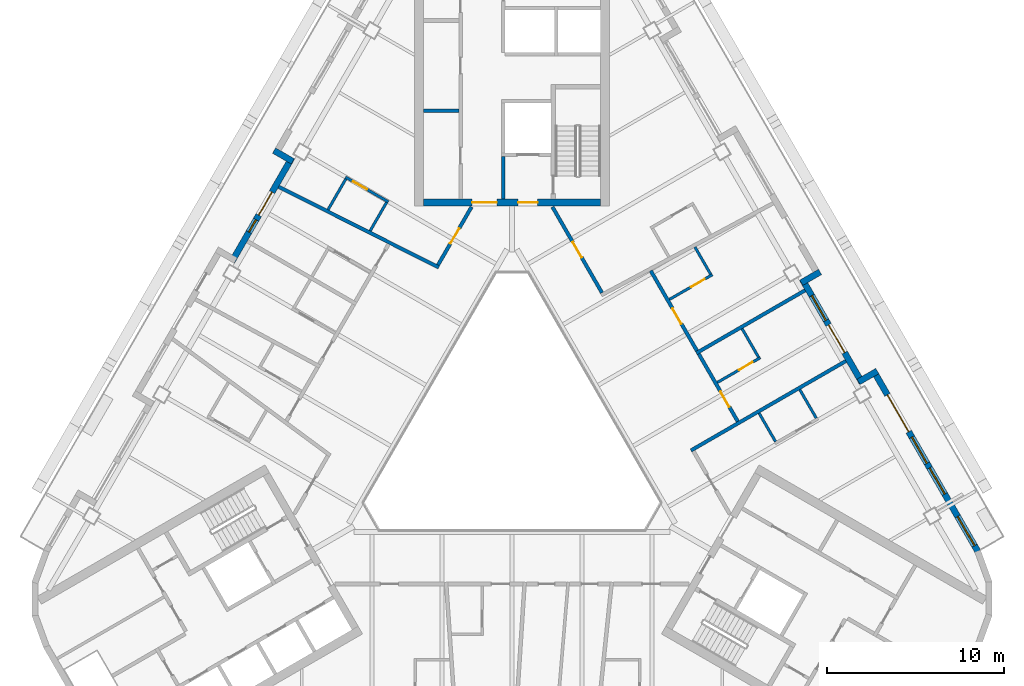
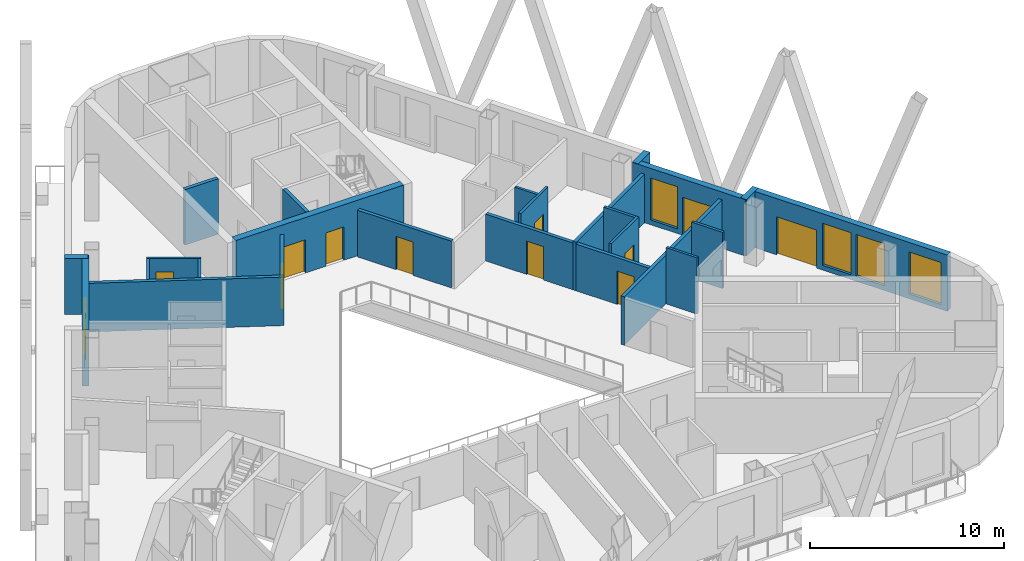
# One storey, part 6 of 14: 25 walls, 12 doors, 5 windows, 17 openings.
"""IFC4 building model written with IfcOpenShell, lengths in metres."""

from ifc_helpers import new_model, si_unit, direction, frame, frame_2d, origin, place, context, subcontext, project, spatial, rectangle, extrude, material, layer, layer_set, type_object, element, fill, save


model = new_model("IFC4")

# Units and contexts
model_context = context("Model", 3, precision=1e-05, world=origin(), true_north=direction((0.0, 1.0)))
body_context = subcontext(model_context, "Body", "Model", "MODEL_VIEW")
ifc_project = project(units=[si_unit("LENGTHUNIT", "METRE"), si_unit("AREAUNIT", "SQUARE_METRE"), si_unit("VOLUMEUNIT", "CUBIC_METRE"), si_unit("PLANEANGLEUNIT", "RADIAN"), si_unit("MASSUNIT", "GRAM", prefix="KILO")], contexts=[model_context])

# Site, building, storey
site_placement = place(None, origin())
site = spatial("IfcSite", under=ifc_project, at=site_placement, CompositionType="ELEMENT")
building_placement = place(site_placement, origin())
building = spatial("IfcBuilding", under=site, at=building_placement, Name="Apuvela Tower Hotel", CompositionType="ELEMENT")
storey_placement = place(building_placement, frame((0.0, 0.0, 202.10009765625)))
storey = spatial("IfcBuildingStorey", under=building, at=storey_placement, Name="L49", CompositionType="ELEMENT", Elevation=202.10009765625)

# Wall, openings, doors
ifc_material_1 = material(Name="Concrete C50/60", Category="concrete")
ifc_layer_1 = layer(ifc_material_1, 0.39990234375)
ifc_layer_set_1 = layer_set([ifc_layer_1], Name="COR-WALL-CORE-400")
wall_type_1 = type_object("IfcWallType", Name="COR-WALL-CORE-400", PredefinedType="SHEAR", material=ifc_layer_set_1)
wall_1_placement = place(storey_placement, frame((5.0, 13.10009765625, 0.0), z_axis=(0.0, 0.0, 1.0), x_axis=(-1.0, 0.0, 0.0)))
wall_1 = element("IfcWall", 1, at=wall_1_placement, inside=storey, type_object=wall_type_1, Name="Core wall N", PredefinedType="SHEAR", context=body_context, shape_type="SweptSolid", body=[
    extrude(rectangle(XDim=10.0, YDim=0.39990234375, at=frame_2d((5.0, 0.0))), origin(), (0.0, 0.0, 1.0), 3.5),
])
opening_1_placement = place(wall_1_placement, frame((3.550048828125, 0.0, 0.0)))
opening_1 = element("IfcOpeningElement", 2, at=opening_1_placement, cuts=wall_1, Name="Opening N-FD", PredefinedType="OPENING", context=body_context, shape_type="SweptSolid", body=[
    extrude(rectangle(XDim=1.10009765625, YDim=2.10009765625, at=frame_2d((0.550048828125, 1.050048828125))), frame((0.0, 0.2099609375, 0.0), z_axis=(0.0, -1.0, 0.0), x_axis=(1.0, 0.0, 0.0)), (0.0, 0.0, 1.0), 0.419921875),
])
opening_2_placement = place(wall_1_placement, frame((5.85009765625, 0.0, 0.0)))
opening_2 = element("IfcOpeningElement", 3, at=opening_2_placement, cuts=wall_1, Name="Opening N-GD", PredefinedType="OPENING", context=body_context, shape_type="SweptSolid", body=[
    extrude(rectangle(XDim=1.39990234375, YDim=2.10009765625, at=frame_2d((0.699951171875, 1.050048828125))), frame((0.0, 0.2099609375, 0.0), z_axis=(0.0, -1.0, 0.0), x_axis=(1.0, 0.0, 0.0)), (0.0, 0.0, 1.0), 0.419921875),
])
ifc_material_2 = material(Name="Steel fire door, powder coated", Category="steel")
door_type_1 = type_object("IfcDoorType", Name="COR-FD-1100", OperationType="NOTDEFINED", PredefinedType="DOOR", material=ifc_material_2)
door_1_placement = place(opening_1_placement, frame((1.10009765625, 0.0, 0.0), z_axis=(0.0, 0.0, 1.0), x_axis=(-1.0, 0.0, 0.0)))
door_1 = element("IfcDoor", 4, at=door_1_placement, inside=storey, type_object=door_type_1, Name="Firefighting lobby door N-FD", OperationType="SINGLE_SWING_LEFT", OverallHeight=2.10009765625, OverallWidth=1.10009765625, PredefinedType="DOOR", context=body_context, shape_type="SweptSolid", body=[
    extrude(rectangle(XDim=1.10009765625, YDim=2.10009765625, at=frame_2d((0.550048828125, 1.050048828125))), frame((0.0, 0.02490234375, 0.0), z_axis=(0.0, -1.0, 0.0), x_axis=(1.0, 0.0, 0.0)), (0.0, 0.0, 1.0), 0.050048828125),
])
fill(opening_1, door_1)
ifc_material_3 = material(Name="Glazed steel fire door", Category="steel")
door_type_2 = type_object("IfcDoorType", Name="COR-GD-1400", OperationType="DOUBLE_DOOR_SINGLE_SWING", PredefinedType="DOOR", material=ifc_material_3)
door_2_placement = place(opening_2_placement, frame((1.39990234375, 0.0, 0.0), z_axis=(0.0, 0.0, 1.0), x_axis=(-1.0, 0.0, 0.0)))
door_2 = element("IfcDoor", 5, at=door_2_placement, inside=storey, type_object=door_type_2, Name="Lift lobby door N-GD", OperationType="DOUBLE_DOOR_SINGLE_SWING", OverallHeight=2.10009765625, OverallWidth=1.39990234375, PredefinedType="DOOR", context=body_context, shape_type="SweptSolid", body=[
    extrude(rectangle(XDim=1.39990234375, YDim=2.10009765625, at=frame_2d((0.699951171875, 1.050048828125))), frame((0.0, 0.02490234375, 0.0), z_axis=(0.0, -1.0, 0.0), x_axis=(1.0, 0.0, 0.0)), (0.0, 0.0, 1.0), 0.050048828125),
])
fill(opening_2, door_2)

# Walls
ifc_layer_2 = layer(ifc_material_1, 0.199951171875)
ifc_layer_set_2 = layer_set([ifc_layer_2], Name="COR-WALL-SHAFT-200")
wall_type_2 = type_object("IfcWallType", Name="COR-WALL-SHAFT-200", PredefinedType="SHEAR", material=ifc_layer_set_2)
wall_2_placement = place(storey_placement, frame((-0.5, 13.300048828125, 0.0), z_axis=(0.0, 0.0, 1.0), x_axis=(0.0, 1.0, 0.0)))
element("IfcWall", 6, at=wall_2_placement, inside=storey, type_object=wall_type_2, Name="Shaft wall N", PredefinedType="SHEAR", context=body_context, shape_type="SweptSolid", body=[
    extrude(rectangle(XDim=2.39990234375, YDim=0.199951171875, at=frame_2d((1.199951171875, 0.0))), origin(), (0.0, 0.0, 1.0), 3.5),
])
wall_3_placement = place(storey_placement, frame((-3.0, 18.280029296875, 0.0), z_axis=(0.0, 0.0, 1.0), x_axis=(-1.0, 0.0, 0.0)))
element("IfcWall", 7, at=wall_3_placement, inside=storey, type_object=wall_type_2, Name="Shaft wall N", PredefinedType="SHEAR", context=body_context, shape_type="SweptSolid", body=[
    extrude(rectangle(XDim=2.0, YDim=0.199951171875, at=frame_2d((1.0, 0.0))), origin(), (0.0, 0.0, 1.0), 3.5),
])
ifc_material_4 = material(Name="Concrete C40/50, dark pigmented precast panel", Category="concrete")
ifc_layer_3 = layer(ifc_material_4, 0.35009765625)
ifc_layer_set_3 = layer_set([ifc_layer_3], Name="ENV-WALL-350")
wall_type_3 = type_object("IfcWallType", Name="ENV-WALL-350", PredefinedType="SOLIDWALL", material=ifc_layer_set_3)
wall_4_placement = place(storey_placement, frame((-13.41259765625, 16.02880859375, 0.0), z_axis=(0.0, 0.0, 1.0), x_axis=(0.866005645448, -0.500034220881, 0.0)))
element("IfcWall", 8, at=wall_4_placement, inside=storey, type_object=wall_type_3, Name="External wall L49-02", PredefinedType="SOLIDWALL", context=body_context, shape_type="SweptSolid", body=[
    extrude(rectangle(XDim=1.22021484375, YDim=0.35009765625, at=frame_2d((0.610107421875, 0.0))), origin(), (0.0, 0.0, 1.0), 3.5498046875),
])

# Wall, openings, door, window
wall_5_placement = place(storey_placement, frame((-12.408935546875, 15.616943359375, 0.0), z_axis=(0.0, 0.0, 1.0), x_axis=(-0.500003597184, -0.866023326939, 0.0)))
wall_5 = element("IfcWall", 9, at=wall_5_placement, inside=storey, type_object=wall_type_3, Name="External wall L49-03", PredefinedType="SOLIDWALL", context=body_context, shape_type="SweptSolid", body=[
    extrude(rectangle(XDim=6.740234375, YDim=0.35009765625, at=frame_2d((3.3701171875, 0.0))), origin(), (0.0, 0.0, 1.0), 3.5498046875),
])
opening_3_placement = place(wall_5_placement, frame((2.22900390625, 0.0, 0.0)))
opening_3 = element("IfcOpeningElement", 10, at=opening_3_placement, cuts=wall_5, Name="Opening BD15", PredefinedType="OPENING", context=body_context, shape_type="SweptSolid", body=[
    extrude(rectangle(XDim=1.5, YDim=2.39990234375, at=frame_2d((0.75, 1.199951171875))), frame((0.0, 0.18505859375, 0.0), z_axis=(0.0, -1.0, 0.0), x_axis=(1.0, 0.0, 0.0)), (0.0, 0.0, 1.0), 0.3701171875),
])
opening_4_placement = place(wall_5_placement, frame((4.029052734375, 0.0, 0.300048828125)))
opening_4 = element("IfcOpeningElement", 11, at=opening_4_placement, cuts=wall_5, Name="Opening WN08", PredefinedType="OPENING", context=body_context, shape_type="SweptSolid", body=[
    extrude(rectangle(XDim=0.800048828125, YDim=2.64990234375, at=frame_2d((0.39990234375, 1.324951171875))), frame((0.0, 0.18505859375, 0.0), z_axis=(0.0, -1.0, 0.0), x_axis=(1.0, 0.0, 0.0)), (0.0, 0.0, 1.0), 0.3701171875),
])
ifc_material_5 = material(Name="Aluminium 6063-T6, dark bronze anodised frame with dark tinted laminated glass", Category="aluminium")
door_type_3 = type_object("IfcDoorType", Name="ENV-DOOR-BALCONY-1500x2400", OperationType="SLIDING_TO_LEFT", PredefinedType="DOOR", material=ifc_material_5)
door_3_placement = place(opening_3_placement, frame((1.5, 0.0, 0.0), z_axis=(0.0, 0.0, 1.0), x_axis=(-1.0, 0.0, 0.0)))
door_3 = element("IfcDoor", 12, at=door_3_placement, inside=storey, type_object=door_type_3, Name="Balcony door BD15", OperationType="SLIDING_TO_LEFT", OverallHeight=2.39990234375, OverallWidth=1.5, PredefinedType="DOOR", context=body_context, shape_type="SweptSolid", body=[
    extrude(rectangle(XDim=1.5, YDim=2.39990234375, at=frame_2d((0.75, 1.199951171875))), frame((0.0, 0.02490234375, 0.0), z_axis=(0.0, -1.0, 0.0), x_axis=(1.0, 0.0, 0.0)), (0.0, 0.0, 1.0), 0.050048828125),
])
fill(opening_3, door_3)
ifc_material_6 = material(Name="Glass, dark tinted laminated insulated glazing unit", Category="glass")
window_type_1 = type_object("IfcWindowType", Name="ENV-WIN-800x2650", PartitioningType="SINGLE_PANEL", PredefinedType="WINDOW", material=ifc_material_6)
window_1_placement = place(opening_4_placement, origin())
window_1 = element("IfcWindow", 13, at=window_1_placement, inside=storey, type_object=window_type_1, Name="Window WN08", OverallHeight=2.64990234375, OverallWidth=0.800048828125, PartitioningType="SINGLE_PANEL", PredefinedType="WINDOW", context=body_context, shape_type="SweptSolid", body=[
    extrude(rectangle(XDim=0.800048828125, YDim=2.64990234375, at=frame_2d((0.39990234375, 1.324951171875))), frame((0.0, 0.030029296875, 0.0), z_axis=(0.0, -1.0, 0.0), x_axis=(1.0, 0.0, 0.0)), (0.0, 0.0, 1.0), 0.06005859375),
])
fill(opening_4, window_1)

# Wall, openings, door, windows
wall_6_placement = place(storey_placement, frame((26.256591796875, -6.5673828125, 0.0), z_axis=(0.0, 0.0, 1.0), x_axis=(-0.500023526245, 0.866011820475, 0.0)))
wall_6 = element("IfcWall", 14, at=wall_6_placement, inside=storey, type_object=wall_type_3, Name="External wall L49-33", PredefinedType="SOLIDWALL", context=body_context, shape_type="SweptSolid", body=[
    extrude(rectangle(XDim=11.81591796875, YDim=0.35009765625, at=frame_2d((5.907958984375, 0.0))), origin(), (0.0, 0.0, 1.0), 3.5498046875),
])
opening_5_placement = place(wall_6_placement, frame((0.380126953125, 0.0, 0.300048828125)))
opening_5 = element("IfcOpeningElement", 15, at=opening_5_placement, cuts=wall_6, Name="Opening WN19", PredefinedType="OPENING", context=body_context, shape_type="SweptSolid", body=[
    extrude(rectangle(XDim=1.89990234375, YDim=2.64990234375, at=frame_2d((0.949951171875, 1.324951171875))), frame((0.0, 0.18505859375, 0.0), z_axis=(0.0, -1.0, 0.0), x_axis=(1.0, 0.0, 0.0)), (0.0, 0.0, 1.0), 0.3701171875),
])
opening_6_placement = place(wall_6_placement, frame((7.791015625, 0.0, 0.0)))
opening_6 = element("IfcOpeningElement", 16, at=opening_6_placement, cuts=wall_6, Name="Opening BD24", PredefinedType="OPENING", context=body_context, shape_type="SweptSolid", body=[
    extrude(rectangle(XDim=2.39990234375, YDim=2.39990234375, at=frame_2d((1.199951171875, 1.199951171875))), frame((0.0, 0.18505859375, 0.0), z_axis=(0.0, -1.0, 0.0), x_axis=(1.0, 0.0, 0.0)), (0.0, 0.0, 1.0), 0.3701171875),
])
opening_7_placement = place(wall_6_placement, frame((3.74072265625, 0.0, 0.300048828125)))
opening_7 = element("IfcOpeningElement", 17, at=opening_7_placement, cuts=wall_6, Name="Opening WN17", PredefinedType="OPENING", context=body_context, shape_type="SweptSolid", body=[
    extrude(rectangle(XDim=1.699951171875, YDim=2.64990234375, at=frame_2d((0.85009765625, 1.324951171875))), frame((0.0, 0.18505859375, 0.0), z_axis=(0.0, -1.0, 0.0), x_axis=(1.0, 0.0, 0.0)), (0.0, 0.0, 1.0), 0.3701171875),
])
opening_8_placement = place(wall_6_placement, frame((5.74072265625, 0.0, 0.300048828125)))
opening_8 = element("IfcOpeningElement", 18, at=opening_8_placement, cuts=wall_6, Name="Opening WN17", PredefinedType="OPENING", context=body_context, shape_type="SweptSolid", body=[
    extrude(rectangle(XDim=1.699951171875, YDim=2.64990234375, at=frame_2d((0.85009765625, 1.324951171875))), frame((0.0, 0.18505859375, 0.0), z_axis=(0.0, -1.0, 0.0), x_axis=(1.0, 0.0, 0.0)), (0.0, 0.0, 1.0), 0.3701171875),
])
door_type_4 = type_object("IfcDoorType", Name="ENV-DOOR-BALCONY-2400x2400", OperationType="SLIDING_TO_LEFT", PredefinedType="DOOR", material=ifc_material_5)
door_4_placement = place(opening_6_placement, frame((2.39990234375, 0.0, 0.0), z_axis=(0.0, 0.0, 1.0), x_axis=(-1.0, 0.0, 0.0)))
door_4 = element("IfcDoor", 19, at=door_4_placement, inside=storey, type_object=door_type_4, Name="Balcony door BD24", OperationType="SLIDING_TO_LEFT", OverallHeight=2.39990234375, OverallWidth=2.39990234375, PredefinedType="DOOR", context=body_context, shape_type="SweptSolid", body=[
    extrude(rectangle(XDim=2.39990234375, YDim=2.39990234375, at=frame_2d((1.199951171875, 1.199951171875))), frame((0.0, 0.02490234375, 0.0), z_axis=(0.0, -1.0, 0.0), x_axis=(1.0, 0.0, 0.0)), (0.0, 0.0, 1.0), 0.050048828125),
])
fill(opening_6, door_4)
window_type_2 = type_object("IfcWindowType", Name="ENV-WIN-1700x2650", PartitioningType="SINGLE_PANEL", PredefinedType="WINDOW", material=ifc_material_6)
window_2_placement = place(opening_7_placement, origin())
window_2 = element("IfcWindow", 20, at=window_2_placement, inside=storey, type_object=window_type_2, Name="Window WN17", OverallHeight=2.64990234375, OverallWidth=1.699951171875, PartitioningType="SINGLE_PANEL", PredefinedType="WINDOW", context=body_context, shape_type="SweptSolid", body=[
    extrude(rectangle(XDim=1.699951171875, YDim=2.64990234375, at=frame_2d((0.85009765625, 1.324951171875))), frame((0.0, 0.030029296875, 0.0), z_axis=(0.0, -1.0, 0.0), x_axis=(1.0, 0.0, 0.0)), (0.0, 0.0, 1.0), 0.06005859375),
])
fill(opening_7, window_2)
window_3_placement = place(opening_8_placement, origin())
window_3 = element("IfcWindow", 21, at=window_3_placement, inside=storey, type_object=window_type_2, Name="Window WN17", OverallHeight=2.64990234375, OverallWidth=1.699951171875, PartitioningType="SINGLE_PANEL", PredefinedType="WINDOW", context=body_context, shape_type="SweptSolid", body=[
    extrude(rectangle(XDim=1.699951171875, YDim=2.64990234375, at=frame_2d((0.85009765625, 1.324951171875))), frame((0.0, 0.030029296875, 0.0), z_axis=(0.0, -1.0, 0.0), x_axis=(1.0, 0.0, 0.0)), (0.0, 0.0, 1.0), 0.06005859375),
])
fill(opening_8, window_3)
window_type_3 = type_object("IfcWindowType", Name="ENV-WIN-1900x2650", PartitioningType="SINGLE_PANEL", PredefinedType="WINDOW", material=ifc_material_6)
window_4_placement = place(opening_5_placement, origin())
window_4 = element("IfcWindow", 22, at=window_4_placement, inside=storey, type_object=window_type_3, Name="Window WN19", OverallHeight=2.64990234375, OverallWidth=1.89990234375, PartitioningType="SINGLE_PANEL", PredefinedType="WINDOW", context=body_context, shape_type="SweptSolid", body=[
    extrude(rectangle(XDim=1.89990234375, YDim=2.64990234375, at=frame_2d((0.949951171875, 1.324951171875))), frame((0.0, 0.030029296875, 0.0), z_axis=(0.0, -1.0, 0.0), x_axis=(1.0, 0.0, 0.0)), (0.0, 0.0, 1.0), 0.06005859375),
])
fill(opening_5, window_4)

# Wall
wall_7_placement = place(storey_placement, frame((20.587646484375, 3.601318359375, 0.0), z_axis=(0.0, 0.0, 1.0), x_axis=(-0.866005645448, -0.500034220881, 0.0)))
element("IfcWall", 23, at=wall_7_placement, inside=storey, type_object=wall_type_3, Name="External wall L49-34", PredefinedType="SOLIDWALL", context=body_context, shape_type="SweptSolid", body=[
    extrude(rectangle(XDim=1.22021484375, YDim=0.35009765625, at=frame_2d((0.610107421875, 0.0))), origin(), (0.0, 0.0, 1.0), 3.5498046875),
])

# Wall, openings, door, window
wall_8_placement = place(storey_placement, frame((19.72900390625, 2.93798828125, 0.0), z_axis=(0.0, 0.0, 1.0), x_axis=(-0.499976430342, 0.866039011305, 0.0)))
wall_8 = element("IfcWall", 24, at=wall_8_placement, inside=storey, type_object=wall_type_3, Name="External wall L49-35", PredefinedType="SOLIDWALL", context=body_context, shape_type="SweptSolid", body=[
    extrude(rectangle(XDim=6.739990234375, YDim=0.35009765625, at=frame_2d((3.3701171875, 0.0))), origin(), (0.0, 0.0, 1.0), 3.5498046875),
])
opening_9_placement = place(wall_8_placement, frame((1.97021484375, 0.0, 0.0)))
opening_9 = element("IfcOpeningElement", 25, at=opening_9_placement, cuts=wall_8, Name="Opening BD18", PredefinedType="OPENING", context=body_context, shape_type="SweptSolid", body=[
    extrude(rectangle(XDim=1.800048828125, YDim=2.39990234375, at=frame_2d((0.89990234375, 1.199951171875))), frame((0.0, 0.18505859375, 0.0), z_axis=(0.0, -1.0, 0.0), x_axis=(1.0, 0.0, 0.0)), (0.0, 0.0, 1.0), 0.3701171875),
])
opening_10_placement = place(wall_8_placement, frame((4.0703125, 0.0, 0.300048828125)))
opening_10 = element("IfcOpeningElement", 26, at=opening_10_placement, cuts=wall_8, Name="Opening WN16", PredefinedType="OPENING", context=body_context, shape_type="SweptSolid", body=[
    extrude(rectangle(XDim=1.60009765625, YDim=2.64990234375, at=frame_2d((0.800048828125, 1.324951171875))), frame((0.0, 0.18505859375, 0.0), z_axis=(0.0, -1.0, 0.0), x_axis=(1.0, 0.0, 0.0)), (0.0, 0.0, 1.0), 0.3701171875),
])
door_type_5 = type_object("IfcDoorType", Name="ENV-DOOR-BALCONY-1800x2400", OperationType="SLIDING_TO_LEFT", PredefinedType="DOOR", material=ifc_material_5)
door_5_placement = place(opening_9_placement, frame((1.800048828125, 0.0, 0.0), z_axis=(0.0, 0.0, 1.0), x_axis=(-1.0, 0.0, 0.0)))
door_5 = element("IfcDoor", 27, at=door_5_placement, inside=storey, type_object=door_type_5, Name="Balcony door BD18", OperationType="SLIDING_TO_LEFT", OverallHeight=2.39990234375, OverallWidth=1.800048828125, PredefinedType="DOOR", context=body_context, shape_type="SweptSolid", body=[
    extrude(rectangle(XDim=1.800048828125, YDim=2.39990234375, at=frame_2d((0.89990234375, 1.199951171875))), frame((0.0, 0.02490234375, 0.0), z_axis=(0.0, -1.0, 0.0), x_axis=(1.0, 0.0, 0.0)), (0.0, 0.0, 1.0), 0.050048828125),
])
fill(opening_9, door_5)
window_type_4 = type_object("IfcWindowType", Name="ENV-WIN-1600x2650", PartitioningType="SINGLE_PANEL", PredefinedType="WINDOW", material=ifc_material_6)
window_5_placement = place(opening_10_placement, origin())
window_5 = element("IfcWindow", 28, at=window_5_placement, inside=storey, type_object=window_type_4, Name="Window WN16", OverallHeight=2.64990234375, OverallWidth=1.60009765625, PartitioningType="SINGLE_PANEL", PredefinedType="WINDOW", context=body_context, shape_type="SweptSolid", body=[
    extrude(rectangle(XDim=1.60009765625, YDim=2.64990234375, at=frame_2d((0.800048828125, 1.324951171875))), frame((0.0, 0.030029296875, 0.0), z_axis=(0.0, -1.0, 0.0), x_axis=(1.0, 0.0, 0.0)), (0.0, 0.0, 1.0), 0.06005859375),
])
fill(opening_10, window_5)

# Walls
wall_9_placement = place(storey_placement, frame((16.305908203125, 8.5771484375, 0.0), z_axis=(0.0, 0.0, 1.0), x_axis=(0.866092288191, 0.499884134912, 0.0)))
element("IfcWall", 29, at=wall_9_placement, inside=storey, type_object=wall_type_3, Name="External wall L49-36", PredefinedType="SOLIDWALL", context=body_context, shape_type="SweptSolid", body=[
    extrude(rectangle(XDim=1.219970703125, YDim=0.35009765625, at=frame_2d((0.60986328125, 0.0))), origin(), (0.0, 0.0, 1.0), 3.5498046875),
])
ifc_material_7 = material(Name="Gypsum board partition on twin steel stud", Category="steel")
ifc_layer_4 = layer(ifc_material_7, 0.199951171875)
ifc_layer_set_4 = layer_set([ifc_layer_4], Name="GST-PW1")
wall_type_4 = type_object("IfcWallType", Name="GST-PW1", PredefinedType="PARTITIONING", material=ifc_layer_set_4)
wall_10_placement = place(storey_placement, frame((18.817626953125, 4.1669921875, 0.0), z_axis=(0.0, 0.0, 1.0), x_axis=(-0.866039179741, -0.499976138585, 0.0)))
element("IfcWall", 30, at=wall_10_placement, inside=storey, type_object=wall_type_4, Name="L49 partition 04", PredefinedType="PARTITIONING", context=body_context, shape_type="SweptSolid", body=[
    extrude(rectangle(XDim=10.080078125, YDim=0.199951171875, at=frame_2d((5.0400390625, 0.0))), origin(), (0.0, 0.0, 1.0), 3.059814453125),
])
wall_11_placement = place(storey_placement, frame((16.517578125, 8.15087890625, 0.0), z_axis=(0.0, 0.0, 1.0), x_axis=(-0.866027673501, -0.499996068715, 0.0)))
element("IfcWall", 31, at=wall_11_placement, inside=storey, type_object=wall_type_4, Name="L49 partition 05", PredefinedType="PARTITIONING", context=body_context, shape_type="SweptSolid", body=[
    extrude(rectangle(XDim=7.080078125, YDim=0.199951171875, at=frame_2d((3.5400390625, 0.0))), origin(), (0.0, 0.0, 1.0), 3.059814453125),
])
wall_12_placement = place(storey_placement, frame((-13.147216796875, 13.988525390625, 0.0), z_axis=(0.0, 0.0, 1.0), x_axis=(0.892898572595, -0.450257858408, 0.0)))
element("IfcWall", 32, at=wall_12_placement, inside=storey, type_object=wall_type_4, Name="L49 partition 07", PredefinedType="PARTITIONING", context=body_context, shape_type="SweptSolid", body=[
    extrude(rectangle(XDim=10.09619140625, YDim=0.199951171875, at=frame_2d((5.048095703125, 0.0))), origin(), (0.0, 0.0, 1.0), 3.059814453125),
])

# Wall, opening, door
ifc_material_8 = material(Name="Gypsum board corridor wall on twin steel stud, acoustic", Category="steel")
ifc_layer_5 = layer(ifc_material_8, 0.199951171875)
ifc_layer_set_5 = layer_set([ifc_layer_5], Name="GST-PW2")
wall_type_5 = type_object("IfcWallType", Name="GST-PW2", PredefinedType="PARTITIONING", material=ifc_layer_set_5)
wall_13_placement = place(storey_placement, frame((10.522705078125, 4.57421875, 0.0), z_axis=(0.0, 0.0, 1.0), x_axis=(0.499988222896, -0.866032203192, 0.0)))
wall_13 = element("IfcWall", 33, at=wall_13_placement, inside=storey, type_object=wall_type_5, Name="L49 partition 29", PredefinedType="PARTITIONING", context=body_context, shape_type="SweptSolid", body=[
    extrude(rectangle(XDim=4.39990234375, YDim=0.199951171875, at=frame_2d((2.199951171875, 0.0))), origin(), (0.0, 0.0, 1.0), 2.949951171875),
])
opening_11_placement = place(wall_13_placement, frame((2.449951171875, 0.0, 0.0)))
opening_11 = element("IfcOpeningElement", 34, at=opening_11_placement, cuts=wall_13, Name="Opening GD19-12", PredefinedType="OPENING", context=body_context, shape_type="SweptSolid", body=[
    extrude(rectangle(XDim=1.0, YDim=2.10009765625, at=frame_2d((0.5, 1.050048828125))), frame((0.0, 0.10986328125, 0.0), z_axis=(0.0, -1.0, 0.0), x_axis=(1.0, 0.0, 0.0)), (0.0, 0.0, 1.0), 0.219970703125),
])
ifc_material_9 = material(Name="Timber door leaf in steel frame", Category="steel")
door_type_6 = type_object("IfcDoorType", Name="GST-D1", OperationType="NOTDEFINED", PredefinedType="DOOR", material=ifc_material_9)
door_6_placement = place(opening_11_placement, origin())
door_6 = element("IfcDoor", 35, at=door_6_placement, inside=storey, type_object=door_type_6, Name="Door L49-12", OperationType="SINGLE_SWING_RIGHT", OverallHeight=2.10009765625, OverallWidth=1.0, PredefinedType="DOOR", context=body_context, shape_type="SweptSolid", body=[
    extrude(rectangle(XDim=1.0, YDim=2.10009765625, at=frame_2d((0.5, 1.050048828125))), frame((0.0, 0.02490234375, 0.0), z_axis=(0.0, -1.0, 0.0), x_axis=(1.0, 0.0, 0.0)), (0.0, 0.0, 1.0), 0.050048828125),
])
fill(opening_11, door_6)

wall_14_placement = place(storey_placement, frame((7.81982421875, 9.255615234375, 0.0), z_axis=(0.0, 0.0, 1.0), x_axis=(0.499987686533, -0.866032512851, 0.0)))
wall_14 = element("IfcWall", 36, at=wall_14_placement, inside=storey, type_object=wall_type_5, Name="L49 partition 32", PredefinedType="PARTITIONING", context=body_context, shape_type="SweptSolid", body=[
    extrude(rectangle(XDim=5.205810546875, YDim=0.199951171875, at=frame_2d((2.60302734375, 0.0))), origin(), (0.0, 0.0, 1.0), 2.949951171875),
])
opening_12_placement = place(wall_14_placement, frame((2.453125, 0.0, 0.0)))
opening_12 = element("IfcOpeningElement", 37, at=opening_12_placement, cuts=wall_14, Name="Opening GD19-14", PredefinedType="OPENING", context=body_context, shape_type="SweptSolid", body=[
    extrude(rectangle(XDim=1.0, YDim=2.10009765625, at=frame_2d((0.5, 1.050048828125))), frame((0.0, 0.10986328125, 0.0), z_axis=(0.0, -1.0, 0.0), x_axis=(1.0, 0.0, 0.0)), (0.0, 0.0, 1.0), 0.219970703125),
])
door_7_placement = place(opening_12_placement, origin())
door_7 = element("IfcDoor", 38, at=door_7_placement, inside=storey, type_object=door_type_6, Name="Door L49-14", OperationType="SINGLE_SWING_RIGHT", OverallHeight=2.10009765625, OverallWidth=1.0, PredefinedType="DOOR", context=body_context, shape_type="SweptSolid", body=[
    extrude(rectangle(XDim=1.0, YDim=2.10009765625, at=frame_2d((0.5, 1.050048828125))), frame((0.0, 0.02490234375, 0.0), z_axis=(0.0, -1.0, 0.0), x_axis=(1.0, 0.0, 0.0)), (0.0, 0.0, 1.0), 0.050048828125),
])
fill(opening_12, door_7)

wall_15_placement = place(storey_placement, frame((2.280517578125, 12.85009765625, 0.0), z_axis=(0.0, 0.0, 1.0), x_axis=(0.500003731568, -0.866023249352, 0.0)))
wall_15 = element("IfcWall", 39, at=wall_15_placement, inside=storey, type_object=wall_type_5, Name="L49 partition 35", PredefinedType="PARTITIONING", context=body_context, shape_type="SweptSolid", body=[
    extrude(rectangle(XDim=5.5849609375, YDim=0.199951171875, at=frame_2d((2.79248046875, 0.0))), origin(), (0.0, 0.0, 1.0), 2.949951171875),
])
opening_13_placement = place(wall_15_placement, frame((2.29248046875, 0.0, 0.0)))
opening_13 = element("IfcOpeningElement", 40, at=opening_13_placement, cuts=wall_15, Name="Opening GD19-16", PredefinedType="OPENING", context=body_context, shape_type="SweptSolid", body=[
    extrude(rectangle(XDim=1.0, YDim=2.10009765625, at=frame_2d((0.5, 1.050048828125))), frame((0.0, 0.10986328125, 0.0), z_axis=(0.0, -1.0, 0.0), x_axis=(1.0, 0.0, 0.0)), (0.0, 0.0, 1.0), 0.219970703125),
])
door_8_placement = place(opening_13_placement, origin())
door_8 = element("IfcDoor", 41, at=door_8_placement, inside=storey, type_object=door_type_6, Name="Door L49-16", OperationType="SINGLE_SWING_RIGHT", OverallHeight=2.10009765625, OverallWidth=1.0, PredefinedType="DOOR", context=body_context, shape_type="SweptSolid", body=[
    extrude(rectangle(XDim=1.0, YDim=2.10009765625, at=frame_2d((0.5, 1.050048828125))), frame((0.0, 0.02490234375, 0.0), z_axis=(0.0, -1.0, 0.0), x_axis=(1.0, 0.0, 0.0)), (0.0, 0.0, 1.0), 0.050048828125),
])
fill(opening_13, door_8)

wall_16_placement = place(storey_placement, frame((-4.171630859375, 9.574462890625, 0.0), z_axis=(0.0, 0.0, 1.0), x_axis=(0.499985062256, 0.866034027923, 0.0)))
wall_16 = element("IfcWall", 42, at=wall_16_placement, inside=storey, type_object=wall_type_5, Name="L49 partition 39", PredefinedType="PARTITIONING", context=body_context, shape_type="SweptSolid", body=[
    extrude(rectangle(XDim=3.7822265625, YDim=0.199951171875, at=frame_2d((1.89111328125, 0.0))), origin(), (0.0, 0.0, 1.0), 2.949951171875),
])
opening_14_placement = place(wall_16_placement, frame((1.39111328125, 0.0, 0.0)))
opening_14 = element("IfcOpeningElement", 43, at=opening_14_placement, cuts=wall_16, Name="Opening GD19-18", PredefinedType="OPENING", context=body_context, shape_type="SweptSolid", body=[
    extrude(rectangle(XDim=1.0, YDim=2.10009765625, at=frame_2d((0.5, 1.050048828125))), frame((0.0, 0.10986328125, 0.0), z_axis=(0.0, -1.0, 0.0), x_axis=(1.0, 0.0, 0.0)), (0.0, 0.0, 1.0), 0.219970703125),
])
door_9_placement = place(opening_14_placement, origin())
door_9 = element("IfcDoor", 44, at=door_9_placement, inside=storey, type_object=door_type_6, Name="Door L49-18", OperationType="SINGLE_SWING_LEFT", OverallHeight=2.10009765625, OverallWidth=1.0, PredefinedType="DOOR", context=body_context, shape_type="SweptSolid", body=[
    extrude(rectangle(XDim=1.0, YDim=2.10009765625, at=frame_2d((0.5, 1.050048828125))), frame((0.0, 0.02490234375, 0.0), z_axis=(0.0, -1.0, 0.0), x_axis=(1.0, 0.0, 0.0)), (0.0, 0.0, 1.0), 0.050048828125),
])
fill(opening_14, door_9)

# Walls
ifc_material_10 = material(Name="Moisture-resistant gypsum board wet wall on steel stud", Category="steel")
ifc_layer_6 = layer(ifc_material_10, 0.14990234375)
ifc_layer_set_6 = layer_set([ifc_layer_6], Name="GST-PW3")
wall_type_6 = type_object("IfcWallType", Name="GST-PW3", PredefinedType="PARTITIONING", material=ifc_layer_set_6)
for number, where, z_axis, x_axis, name in (
    (45, (17.146728515625, 0.95068359375, 0.0), (0.0, 0.0, 1.0), (-0.499985172903, 0.866033964044, 0.0), "L49 partition 27"),
    (46, (14.851806640625, -0.374267578125, 0.0), (0.0, 0.0, 1.0), (-0.499886193382, 0.866091100096, 0.0), "L49 partition 28"),
):
    element("IfcWall", number, at=place(storey_placement, frame(where, z_axis=z_axis, x_axis=x_axis)), inside=storey, type_object=wall_type_6, Name=name, PredefinedType="PARTITIONING", context=body_context, shape_type="SweptSolid", body=[
        extrude(rectangle(XDim=1.85009765625, YDim=0.14990234375, at=frame_2d((0.925048828125, 0.0))), origin(), (0.0, 0.0, 1.0), 3.5498046875),
    ])

# Wall, opening, door
wall_17_placement = place(storey_placement, frame((11.57177734375, 2.95703125, 0.0), z_axis=(0.0, 0.0, 1.0), x_axis=(0.865996816683, 0.500049511043, 0.0)))
wall_17 = element("IfcWall", 47, at=wall_17_placement, inside=storey, type_object=wall_type_6, Name="L49 partition 30", PredefinedType="PARTITIONING", context=body_context, shape_type="SweptSolid", body=[
    extrude(rectangle(XDim=2.800048828125, YDim=0.14990234375, at=frame_2d((1.39990234375, 0.0))), origin(), (0.0, 0.0, 1.0), 3.5498046875),
])
opening_15_placement = place(wall_17_placement, frame((1.39990234375, 0.0, 0.0)))
opening_15 = element("IfcOpeningElement", 48, at=opening_15_placement, cuts=wall_17, Name="Opening GD19-11", PredefinedType="OPENING", context=body_context, shape_type="SweptSolid", body=[
    extrude(rectangle(XDim=0.89990234375, YDim=2.10009765625, at=frame_2d((0.449951171875, 1.050048828125))), frame((0.0, 0.0849609375, 0.0), z_axis=(0.0, -1.0, 0.0), x_axis=(1.0, 0.0, 0.0)), (0.0, 0.0, 1.0), 0.169921875),
])
door_type_7 = type_object("IfcDoorType", Name="GST-D2", OperationType="NOTDEFINED", PredefinedType="DOOR", material=ifc_material_9)
door_10_placement = place(opening_15_placement, origin())
door_10 = element("IfcDoor", 49, at=door_10_placement, inside=storey, type_object=door_type_7, Name="Door L49-11", OperationType="SINGLE_SWING_RIGHT", OverallHeight=2.10009765625, OverallWidth=0.89990234375, PredefinedType="DOOR", context=body_context, shape_type="SweptSolid", body=[
    extrude(rectangle(XDim=0.89990234375, YDim=2.10009765625, at=frame_2d((0.449951171875, 1.050048828125))), frame((0.0, 0.02490234375, 0.0), z_axis=(0.0, -1.0, 0.0), x_axis=(1.0, 0.0, 0.0)), (0.0, 0.0, 1.0), 0.050048828125),
])
fill(opening_15, door_10)

# Wall
wall_18_placement = place(storey_placement, frame((13.894287109375, 4.384521484375, 0.0), z_axis=(0.0, 0.0, 1.0), x_axis=(-0.499985172903, 0.866033964044, 0.0)))
element("IfcWall", 50, at=wall_18_placement, inside=storey, type_object=wall_type_6, Name="L49 partition 31", PredefinedType="PARTITIONING", context=body_context, shape_type="SweptSolid", body=[
    extrude(rectangle(XDim=1.85009765625, YDim=0.14990234375, at=frame_2d((0.925048828125, 0.0))), origin(), (0.0, 0.0, 1.0), 3.5498046875),
])

# Wall, opening, door
wall_19_placement = place(storey_placement, frame((8.87060546875, 7.6357421875, 0.0), z_axis=(0.0, 0.0, 1.0), x_axis=(0.865996816683, 0.500049511043, 0.0)))
wall_19 = element("IfcWall", 51, at=wall_19_placement, inside=storey, type_object=wall_type_6, Name="L49 partition 33", PredefinedType="PARTITIONING", context=body_context, shape_type="SweptSolid", body=[
    extrude(rectangle(XDim=2.800048828125, YDim=0.14990234375, at=frame_2d((1.39990234375, 0.0))), origin(), (0.0, 0.0, 1.0), 3.5498046875),
])
opening_16_placement = place(wall_19_placement, frame((1.39990234375, 0.0, 0.0)))
opening_16 = element("IfcOpeningElement", 52, at=opening_16_placement, cuts=wall_19, Name="Opening GD19-13", PredefinedType="OPENING", context=body_context, shape_type="SweptSolid", body=[
    extrude(rectangle(XDim=0.89990234375, YDim=2.10009765625, at=frame_2d((0.449951171875, 1.050048828125))), frame((0.0, 0.0849609375, 0.0), z_axis=(0.0, -1.0, 0.0), x_axis=(1.0, 0.0, 0.0)), (0.0, 0.0, 1.0), 0.169921875),
])
door_11_placement = place(opening_16_placement, origin())
door_11 = element("IfcDoor", 53, at=door_11_placement, inside=storey, type_object=door_type_7, Name="Door L49-13", OperationType="SINGLE_SWING_RIGHT", OverallHeight=2.10009765625, OverallWidth=0.89990234375, PredefinedType="DOOR", context=body_context, shape_type="SweptSolid", body=[
    extrude(rectangle(XDim=0.89990234375, YDim=2.10009765625, at=frame_2d((0.449951171875, 1.050048828125))), frame((0.0, 0.02490234375, 0.0), z_axis=(0.0, -1.0, 0.0), x_axis=(1.0, 0.0, 0.0)), (0.0, 0.0, 1.0), 0.050048828125),
])
fill(opening_16, door_11)

# Wall
wall_20_placement = place(storey_placement, frame((11.19287109375, 9.063232421875, 0.0), z_axis=(0.0, 0.0, 1.0), x_axis=(-0.499910413417, 0.866077120444, 0.0)))
element("IfcWall", 54, at=wall_20_placement, inside=storey, type_object=wall_type_6, Name="L49 partition 34", PredefinedType="PARTITIONING", context=body_context, shape_type="SweptSolid", body=[
    extrude(rectangle(XDim=1.761474609375, YDim=0.14990234375, at=frame_2d((0.880859375, 0.0))), origin(), (0.0, 0.0, 1.0), 2.949951171875),
])

# Wall, opening, door
wall_21_placement = place(storey_placement, frame((-6.96533203125, 13.1357421875, 0.0), z_axis=(0.0, 0.0, 1.0), x_axis=(-0.866034573852, 0.49998411664, 0.0)))
wall_21 = element("IfcWall", 55, at=wall_21_placement, inside=storey, type_object=wall_type_6, Name="L49 partition 40", PredefinedType="PARTITIONING", context=body_context, shape_type="SweptSolid", body=[
    extrude(rectangle(XDim=2.7998046875, YDim=0.14990234375, at=frame_2d((1.39990234375, 0.0))), origin(), (0.0, 0.0, 1.0), 2.949951171875),
])
opening_17_placement = place(wall_21_placement, frame((1.39990234375, 0.0, 0.0)))
opening_17 = element("IfcOpeningElement", 56, at=opening_17_placement, cuts=wall_21, Name="Opening GD19-17", PredefinedType="OPENING", context=body_context, shape_type="SweptSolid", body=[
    extrude(rectangle(XDim=0.89990234375, YDim=2.10009765625, at=frame_2d((0.449951171875, 1.050048828125))), frame((0.0, 0.0849609375, 0.0), z_axis=(0.0, -1.0, 0.0), x_axis=(1.0, 0.0, 0.0)), (0.0, 0.0, 1.0), 0.169921875),
])
door_12_placement = place(opening_17_placement, origin())
door_12 = element("IfcDoor", 57, at=door_12_placement, inside=storey, type_object=door_type_7, Name="Door L49-17", OperationType="SINGLE_SWING_RIGHT", OverallHeight=2.10009765625, OverallWidth=0.89990234375, PredefinedType="DOOR", context=body_context, shape_type="SweptSolid", body=[
    extrude(rectangle(XDim=0.89990234375, YDim=2.10009765625, at=frame_2d((0.449951171875, 1.050048828125))), frame((0.0, 0.02490234375, 0.0), z_axis=(0.0, -1.0, 0.0), x_axis=(1.0, 0.0, 0.0)), (0.0, 0.0, 1.0), 0.050048828125),
])
fill(opening_17, door_12)

# Walls
wall_22_placement = place(storey_placement, frame((-9.36279296875, 14.43310546875, 0.0), z_axis=(0.0, 0.0, 1.0), x_axis=(-0.500056363668, -0.86599285976, 0.0)))
element("IfcWall", 58, at=wall_22_placement, inside=storey, type_object=wall_type_6, Name="L49 partition 41", PredefinedType="PARTITIONING", context=body_context, shape_type="SweptSolid", body=[
    extrude(rectangle(XDim=2.004150390625, YDim=0.14990234375, at=frame_2d((1.001953125, 0.0))), origin(), (0.0, 0.0, 1.0), 2.949951171875),
])
wall_23_placement = place(storey_placement, frame((-7.06787109375, 13.108154296875, 0.0), z_axis=(0.0, 0.0, 1.0), x_axis=(-0.4999770169, -0.866038672677, 0.0)))
element("IfcWall", 59, at=wall_23_placement, inside=storey, type_object=wall_type_6, Name="L49 partition 42", PredefinedType="PARTITIONING", context=body_context, shape_type="SweptSolid", body=[
    extrude(rectangle(XDim=1.85400390625, YDim=0.14990234375, at=frame_2d((0.927001953125, 0.0))), origin(), (0.0, 0.0, 1.0), 2.949951171875),
])

save(model, "model.ifc")
